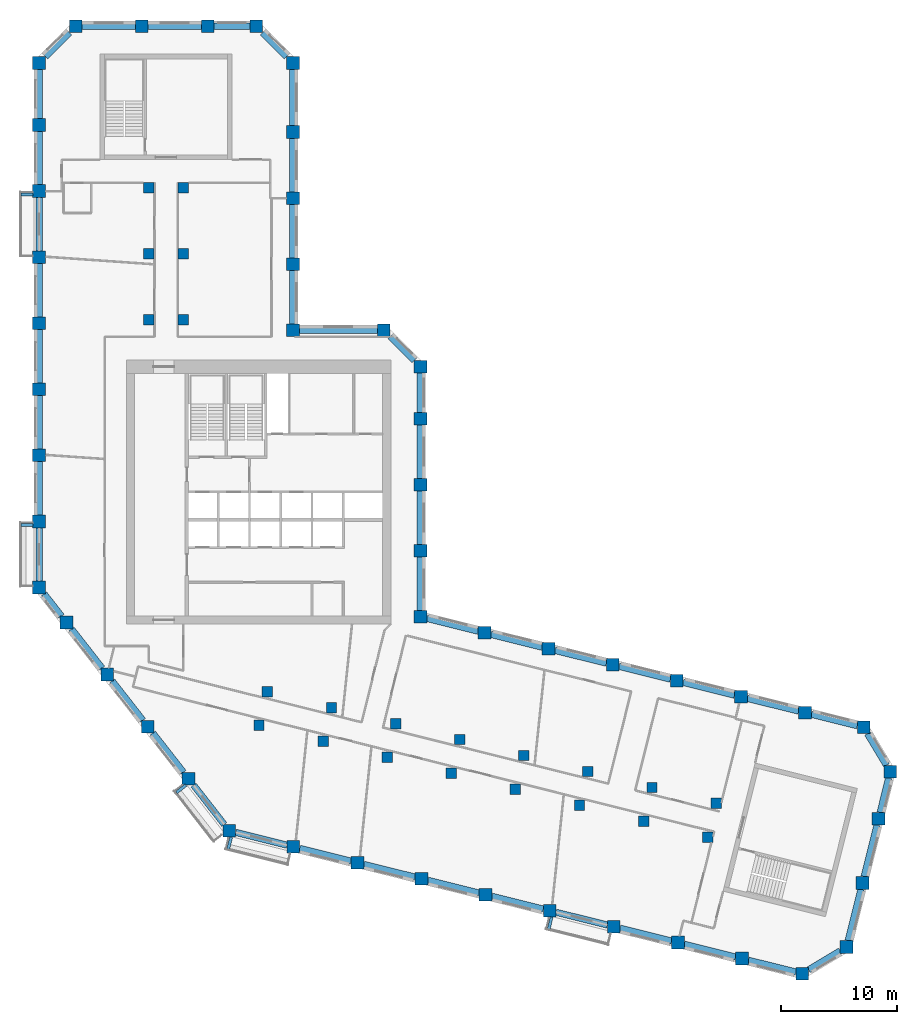
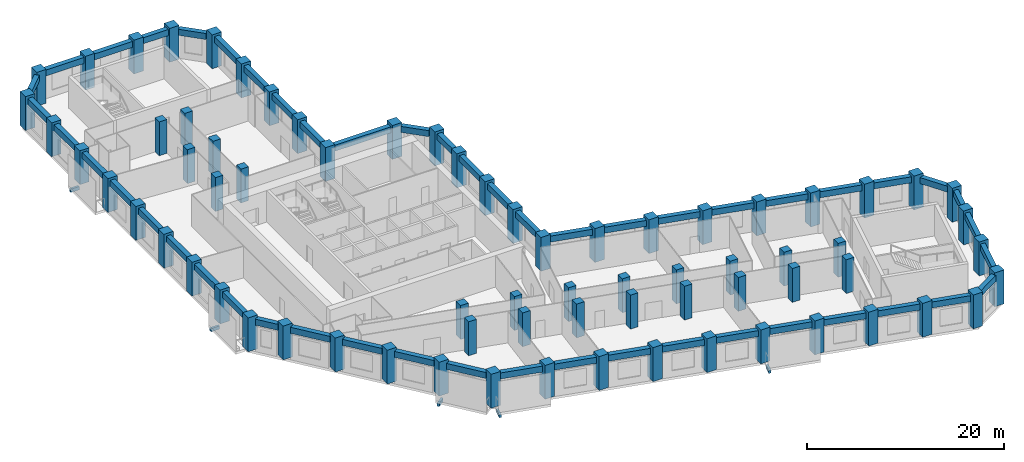
# One storey, part 1 of 10: 71 columns, 54 beams.
"""IFC4 building model written with IfcOpenShell, lengths in metres."""

from ifc_helpers import new_model, si_unit, direction, frame, origin, origin_2d, place, context, subcontext, project, spatial, rectangle, extrude, material, material_profile, profile_set, type_object, element, save


model = new_model("IFC4")

# Units and contexts
model_context = context("Model", 3, precision=1e-05, world=origin(), true_north=direction((0.0, 1.0)))
body_context = subcontext(model_context, "Body", "Model", "MODEL_VIEW")
ifc_project = project(units=[si_unit("LENGTHUNIT", "METRE"), si_unit("AREAUNIT", "SQUARE_METRE"), si_unit("VOLUMEUNIT", "CUBIC_METRE"), si_unit("PLANEANGLEUNIT", "RADIAN"), si_unit("MASSUNIT", "GRAM", prefix="KILO")], contexts=[model_context])

# Site, building, storey
site_placement = place(None, origin())
site = spatial("IfcSite", under=ifc_project, at=site_placement, CompositionType="ELEMENT")
building_placement = place(site_placement, origin())
building = spatial("IfcBuilding", under=site, at=building_placement, Name="Meshkara Civic Tower", CompositionType="ELEMENT")
storey_placement = place(building_placement, frame((0.0, 0.0, 229.800048828125)))
storey = spatial("IfcBuildingStorey", under=building, at=storey_placement, Name="L52", CompositionType="ELEMENT", Elevation=229.800048828125)

# Columns
ifc_material_1 = material(Name="Concrete C60", Category="concrete")
ifc_material_profile_1 = material_profile(ifc_material_1, rectangle(XDim=0.89990234375, YDim=0.89990234375, at=origin_2d()))
ifc_profile_set_1 = profile_set([ifc_material_profile_1], Name="Concrete C60")
column_type_1 = type_object("IfcColumnType", Name="Interior column RC 900x900 C60", PredefinedType="COLUMN", material=ifc_profile_set_1)
for number, where, z_axis, x_axis, name in (
    (1, (9.89990234375, 40.35009765625, 0.0), (0.0, 0.0, 1.0), (1.0, 0.0, 0.0), "Column SA1-04 L52"),
    (2, (9.89990234375, 46.050048828125, 0.0), (0.0, 0.0, 1.0), (1.0, 0.0, 0.0), "Column SA1-05 L52"),
    (3, (9.89990234375, 51.75, 0.0), (0.0, 0.0, 1.0), (1.0, 0.0, 0.0), "Column SA1-06 L52"),
    (4, (12.89990234375, 40.35009765625, 0.0), (0.0, 0.0, 1.0), (1.0, 0.0, 0.0), "Column SA2-04 L52"),
    (5, (12.89990234375, 46.050048828125, 0.0), (0.0, 0.0, 1.0), (1.0, 0.0, 0.0), "Column SA2-05 L52"),
    (6, (12.89990234375, 51.75, 0.0), (0.0, 0.0, 1.0), (1.0, 0.0, 0.0), "Column SA2-06 L52"),
    (7, (19.424072265625, 5.360107421875, 0.0), (0.0, 0.0, 1.0), (1.0, 0.0, 0.0), "Column SB1-00 L52"),
    (8, (24.9541015625, 3.98095703125, 0.0), (0.0, 0.0, 1.0), (1.0, 0.0, 0.0), "Column SB1-01 L52"),
    (9, (30.485107421875, 2.60205078125, 0.0), (0.0, 0.0, 1.0), (1.0, 0.0, 0.0), "Column SB1-02 L52"),
    (10, (36.01611328125, 1.222900390625, 0.0), (0.0, 0.0, 1.0), (1.0, 0.0, 0.0), "Column SB1-03 L52"),
    (11, (41.5458984375, -0.156005859375, 0.0), (0.0, 0.0, 1.0), (1.0, 0.0, 0.0), "Column SB1-04 L52"),
    (12, (47.076904296875, -1.534912109375, 0.0), (0.0, 0.0, 1.0), (1.0, 0.0, 0.0), "Column SB1-05 L52"),
    (13, (52.60791015625, -2.9140625, 0.0), (0.0, 0.0, 1.0), (1.0, 0.0, 0.0), "Column SB1-06 L52"),
    (14, (58.138916015625, -4.2919921875, 0.0), (0.0, 0.0, 1.0), (1.0, 0.0, 0.0), "Column SB1-07 L52"),
    (15, (20.14892578125, 8.27099609375, 0.0), (0.0, 0.0, 1.0), (1.0, 0.0, 0.0), "Column SB2-00 L52"),
    (16, (25.679931640625, 6.89208984375, 0.0), (0.0, 0.0, 1.0), (1.0, 0.0, 0.0), "Column SB2-01 L52"),
    (17, (31.2109375, 5.512939453125, 0.0), (0.0, 0.0, 1.0), (1.0, 0.0, 0.0), "Column SB2-02 L52"),
    (18, (36.741943359375, 4.134033203125, 0.0), (0.0, 0.0, 1.0), (1.0, 0.0, 0.0), "Column SB2-03 L52"),
    (19, (42.27197265625, 2.7548828125, 0.0), (0.0, 0.0, 1.0), (1.0, 0.0, 0.0), "Column SB2-04 L52"),
    (20, (47.802978515625, 1.3759765625, 0.0), (0.0, 0.0, 1.0), (1.0, 0.0, 0.0), "Column SB2-05 L52"),
    (21, (53.333984375, -0.0029296875, 0.0), (0.0, 0.0, 1.0), (1.0, 0.0, 0.0), "Column SB2-06 L52"),
    (22, (58.864013671875, -1.382080078125, 0.0), (0.0, 0.0, 1.0), (1.0, 0.0, 0.0), "Column SB2-07 L52"),
):
    element("IfcColumn", number, at=place(storey_placement, frame(where, z_axis=z_axis, x_axis=x_axis)), inside=storey, type_object=column_type_1, Name=name, PredefinedType="COLUMN", context=body_context, shape_type="SweptSolid", body=[
        extrude(rectangle(XDim=0.89990234375, YDim=0.89990234375, at=origin_2d()), origin(), (0.0, 0.0, 1.0), 4.199951171875),
    ])
ifc_material_2 = material(Name="Concrete C60", Category="concrete")
ifc_material_profile_2 = material_profile(ifc_material_2, rectangle(XDim=1.10009765625, YDim=1.10009765625, at=origin_2d()))
ifc_profile_set_2 = profile_set([ifc_material_profile_2], Name="Concrete C60")
column_type_2 = type_object("IfcColumnType", Name="Perimeter column RC 1100x1100 C60", PredefinedType="COLUMN", material=ifc_profile_set_2)
for number, where, z_axis, x_axis, name in (
    (23, (33.35009765625, 14.718994140625, 0.0), (0.0, 0.0, 1.0), (1.0, 0.0, 0.0), "Column HE00 L52"),
    (24, (33.35009765625, 20.4189453125, 0.0), (0.0, 0.0, 1.0), (1.0, 0.0, 0.0), "Column HE01 L52"),
    (25, (33.35009765625, 26.118896484375, 0.0), (0.0, 0.0, 1.0), (1.0, 0.0, 0.0), "Column HE02 L52"),
    (26, (33.35009765625, 31.819091796875, 0.0), (0.0, 0.0, 1.0), (1.0, 0.0, 0.0), "Column HE03 L52"),
    (27, (33.35009765625, 36.2939453125, 0.0), (0.0, 0.0, 1.0), (1.0, 0.0, 0.0), "Column HEE L52"),
    (28, (30.194091796875, 39.449951171875, 0.0), (0.0, 0.0, 1.0), (1.0, 0.0, 0.0), "Column HCeE L52"),
    (29, (22.35009765625, 39.449951171875, 0.0), (0.0, 0.0, 1.0), (1.0, 0.0, 0.0), "Column HN00 L52"),
    (30, (22.35009765625, 45.14990234375, 0.0), (0.0, 0.0, 1.0), (1.0, 0.0, 0.0), "Column AE01 L52"),
    (31, (22.35009765625, 50.85009765625, 0.0), (0.0, 0.0, 1.0), (1.0, 0.0, 0.0), "Column AE02 L52"),
    (32, (22.35009765625, 56.550048828125, 0.0), (0.0, 0.0, 1.0), (1.0, 0.0, 0.0), "Column AE03 L52"),
    (33, (22.35009765625, 62.513916015625, 0.0), (0.0, 0.0, 1.0), (1.0, 0.0, 0.0), "Column AEEP3 L52"),
    (34, (19.194091796875, 65.669921875, 0.0), (0.0, 0.0, 1.0), (1.0, 0.0, 0.0), "Column ATiEP3 L52"),
    (35, (3.60595703125, 65.669921875, 0.0), (0.0, 0.0, 1.0), (1.0, 0.0, 0.0), "Column AT00-P3 L52"),
    (36, (9.305908203125, 65.669921875, 0.0), (0.0, 0.0, 1.0), (1.0, 0.0, 0.0), "Column AT01-P3 L52"),
    (37, (15.006103515625, 65.669921875, 0.0), (0.0, 0.0, 1.0), (1.0, 0.0, 0.0), "Column AT02-P3 L52"),
    (38, (0.449951171875, 62.513916015625, 0.0), (0.0, 0.0, 1.0), (1.0, 0.0, 0.0), "Column ATo00-P3 L52"),
    (39, (0.449951171875, 17.2548828125, 0.0), (0.0, 0.0, 1.0), (1.0, 0.0, 0.0), "Column AW00 L52"),
    (40, (0.449951171875, 22.955078125, 0.0), (0.0, 0.0, 1.0), (1.0, 0.0, 0.0), "Column AW01 L52"),
    (41, (0.449951171875, 28.655029296875, 0.0), (0.0, 0.0, 1.0), (1.0, 0.0, 0.0), "Column AW02 L52"),
    (42, (0.449951171875, 34.35498046875, 0.0), (0.0, 0.0, 1.0), (1.0, 0.0, 0.0), "Column AW03 L52"),
    (43, (0.449951171875, 40.054931640625, 0.0), (0.0, 0.0, 1.0), (1.0, 0.0, 0.0), "Column AW04 L52"),
    (44, (0.449951171875, 45.7548828125, 0.0), (0.0, 0.0, 1.0), (1.0, 0.0, 0.0), "Column AW05 L52"),
    (45, (0.449951171875, 51.455078125, 0.0), (0.0, 0.0, 1.0), (1.0, 0.0, 0.0), "Column AW06 L52"),
    (46, (0.449951171875, 57.155029296875, 0.0), (0.0, 0.0, 1.0), (1.0, 0.0, 0.0), "Column AW07 L52"),
    (47, (16.85107421875, -3.738037109375, 0.0), (0.0, 0.0, 1.0), (1.0, 0.0, 0.0), "Column BOW00 L52"),
    (48, (13.342041015625, 0.75390625, 0.0), (0.0, 0.0, 1.0), (1.0, 0.0, 0.0), "Column BOW01 L52"),
    (49, (9.8330078125, 5.2451171875, 0.0), (0.0, 0.0, 1.0), (1.0, 0.0, 0.0), "Column BOW02 L52"),
    (50, (6.322998046875, 9.737060546875, 0.0), (0.0, 0.0, 1.0), (1.0, 0.0, 0.0), "Column BOW03 L52"),
    (51, (2.81396484375, 14.22900390625, 0.0), (0.0, 0.0, 1.0), (1.0, 0.0, 0.0), "Column BOW04 L52"),
    (52, (22.382080078125, -5.116943359375, 0.0), (0.0, 0.0, 1.0), (1.0, 0.0, 0.0), "Column BS01 L52"),
    (53, (27.912109375, -6.49609375, 0.0), (0.0, 0.0, 1.0), (1.0, 0.0, 0.0), "Column BS02 L52"),
    (54, (33.443115234375, -7.875, 0.0), (0.0, 0.0, 1.0), (1.0, 0.0, 0.0), "Column BS03 L52"),
    (55, (38.97412109375, -9.2529296875, 0.0), (0.0, 0.0, 1.0), (1.0, 0.0, 0.0), "Column BS04-P1 L52"),
    (56, (44.5048828125, -10.632080078125, 0.0), (0.0, 0.0, 1.0), (1.0, 0.0, 0.0), "Column BS05 L52"),
    (57, (50.034912109375, -12.010986328125, 0.0), (0.0, 0.0, 1.0), (1.0, 0.0, 0.0), "Column BS06 L52"),
    (58, (55.56591796875, -13.389892578125, 0.0), (0.0, 0.0, 1.0), (1.0, 0.0, 0.0), "Column BS07 L52"),
    (59, (61.096923828125, -14.76904296875, 0.0), (0.0, 0.0, 1.0), (1.0, 0.0, 0.0), "Column BS08 L52"),
    (60, (66.2958984375, -16.06494140625, 0.0), (0.0, 0.0, 1.0), (1.0, 0.0, 0.0), "Column BSEP3 L52"),
    (61, (70.1220703125, -13.76611328125, 0.0), (0.0, 0.0, 1.0), (1.0, 0.0, 0.0), "Column BToEP3 L52"),
    (62, (71.5009765625, -8.235107421875, 0.0), (0.0, 0.0, 1.0), (1.0, 0.0, 0.0), "Column BT01-P3 L52"),
    (63, (72.8798828125, -2.705078125, 0.0), (0.0, 0.0, 1.0), (1.0, 0.0, 0.0), "Column BT02-P3 L52"),
    (64, (73.89306640625, 1.35791015625, 0.0), (0.0, 0.0, 1.0), (1.0, 0.0, 0.0), "Column BTEP3 L52"),
    (65, (71.593994140625, 5.18310546875, 0.0), (0.0, 0.0, 1.0), (1.0, 0.0, 0.0), "Column BTi00-P3 L52"),
    (66, (38.881103515625, 13.340087890625, 0.0), (0.0, 0.0, 1.0), (1.0, 0.0, 0.0), "Column BN01 L52"),
    (67, (44.410888671875, 11.9609375, 0.0), (0.0, 0.0, 1.0), (1.0, 0.0, 0.0), "Column BN02 L52"),
    (68, (49.94189453125, 10.58203125, 0.0), (0.0, 0.0, 1.0), (1.0, 0.0, 0.0), "Column BN03 L52"),
    (69, (55.472900390625, 9.202880859375, 0.0), (0.0, 0.0, 1.0), (1.0, 0.0, 0.0), "Column BN04 L52"),
    (70, (61.0029296875, 7.823974609375, 0.0), (0.0, 0.0, 1.0), (1.0, 0.0, 0.0), "Column BN05 L52"),
    (71, (66.533935546875, 6.445068359375, 0.0), (0.0, 0.0, 1.0), (1.0, 0.0, 0.0), "Column BN06 L52"),
):
    element("IfcColumn", number, at=place(storey_placement, frame(where, z_axis=z_axis, x_axis=x_axis)), inside=storey, type_object=column_type_2, Name=name, PredefinedType="COLUMN", context=body_context, shape_type="SweptSolid", body=[
        extrude(rectangle(XDim=1.10009765625, YDim=1.10009765625, at=origin_2d()), origin(), (0.0, 0.0, 1.0), 4.199951171875),
    ])

# Beams
ifc_material_3 = material(Name="Concrete C50", Category="concrete")
ifc_material_profile_3 = material_profile(ifc_material_3, rectangle(XDim=0.25, YDim=0.39990234375, at=origin_2d()))
ifc_profile_set_3 = profile_set([ifc_material_profile_3], Name="Concrete C50")
beam_type_1 = type_object("IfcBeamType", Name="Balcony bracket beam RC 250x400 C50", PredefinedType="BEAM", material=ifc_profile_set_3)
for number, where, z_axis, x_axis, name in (
    (72, (-0.094970703125, 51.155029296875, -0.5), (-1.0, 0.0, 0.0), (0.0, -1.0, 0.0), "Balcony bracket beam"),
    (73, (-0.094970703125, 22.655029296875, -0.5), (-1.0, 0.0, 0.0), (0.0, -1.0, 0.0), "Balcony bracket beam"),
):
    element("IfcBeam", number, at=place(storey_placement, frame(where, z_axis=z_axis, x_axis=x_axis)), inside=storey, type_object=beam_type_1, Name=name, PredefinedType="BEAM", context=body_context, shape_type="SweptSolid", body=[
        extrude(rectangle(XDim=0.25, YDim=0.39990234375, at=origin_2d()), origin(), (0.0, 0.0, 1.0), 1.005126953125),
    ])
beam_1_placement = place(storey_placement, frame((13.12890625, 0.20703125, -0.5), z_axis=(-0.787879244592, -0.615829762143, 0.0), x_axis=(0.615829762143, -0.787879244592, 0.0)))
element("IfcBeam", 74, at=beam_1_placement, inside=storey, type_object=beam_type_1, Name="Balcony bracket beam", PredefinedType="BEAM", context=body_context, shape_type="SweptSolid", body=[
    extrude(rectangle(XDim=0.25, YDim=0.39990234375, at=origin_2d()), origin(), (0.0, 0.0, 1.0), 1.0458984375),
])
beam_2_placement = place(storey_placement, frame((17.02392578125, -4.282958984375, -0.5), z_axis=(-0.241724565462, -0.970344904893, 0.0), x_axis=(0.970344904893, -0.241724565462, 0.0)))
element("IfcBeam", 75, at=beam_2_placement, inside=storey, type_object=beam_type_1, Name="Balcony bracket beam", PredefinedType="BEAM", context=body_context, shape_type="SweptSolid", body=[
    extrude(rectangle(XDim=0.25, YDim=0.39990234375, at=origin_2d()), origin(), (0.0, 0.0, 1.0), 1.0625),
])
beam_3_placement = place(storey_placement, frame((44.677978515625, -11.177001953125, -0.5), z_axis=(-0.241725333206, -0.970344713639, 0.0), x_axis=(0.970344713639, -0.241725333206, 0.0)))
element("IfcBeam", 76, at=beam_3_placement, inside=storey, type_object=beam_type_1, Name="Balcony bracket beam", PredefinedType="BEAM", context=body_context, shape_type="SweptSolid", body=[
    extrude(rectangle(XDim=0.25, YDim=0.39990234375, at=origin_2d()), origin(), (0.0, 0.0, 1.0), 1.0634765625),
])
ifc_material_4 = material(Name="Concrete C60", Category="concrete")
ifc_material_profile_4 = material_profile(ifc_material_4, rectangle(XDim=0.550048828125, YDim=0.75, at=origin_2d()))
ifc_profile_set_4 = profile_set([ifc_material_profile_4], Name="Concrete C60")
beam_type_2 = type_object("IfcBeamType", Name="Spandrel beam RC 550x750 C60", PredefinedType="BEAM", material=ifc_profile_set_4)
beam_4_placement = place(storey_placement, frame((65.989013671875, 6.580810546875, 3.52490234375), z_axis=(-0.970299186733, 0.241908016044, 0.0), x_axis=(-0.241908016044, -0.970299186733, 0.0)))
element("IfcBeam", 77, at=beam_4_placement, inside=storey, type_object=beam_type_2, Name="Spandrel beam BN05-BN06", PredefinedType="BEAM", context=body_context, shape_type="SweptSolid", body=[
    extrude(rectangle(XDim=0.550048828125, YDim=0.75, at=origin_2d()), origin(), (0.0, 0.0, 1.0), 4.576904296875),
])
beam_5_placement = place(storey_placement, frame((60.4580078125, 7.9599609375, 3.52490234375), z_axis=(-0.970286696562, 0.241958108925, 0.0), x_axis=(-0.241958108925, -0.970286696562, 0.0)))
element("IfcBeam", 78, at=beam_5_placement, inside=storey, type_object=beam_type_2, Name="Spandrel beam BN04-BN05", PredefinedType="BEAM", context=body_context, shape_type="SweptSolid", body=[
    extrude(rectangle(XDim=0.550048828125, YDim=0.75, at=origin_2d()), origin(), (0.0, 0.0, 1.0), 4.575927734375),
])
for number, where, z_axis, x_axis, name in (
    (79, (54.927978515625, 9.3388671875, 3.52490234375), (-0.970299186733, 0.241908016044, 0.0), (-0.241908016044, -0.970299186733, 0.0), "Spandrel beam BN03-BN04"),
    (80, (49.39697265625, 10.718017578125, 3.52490234375), (-0.970299186733, 0.241908016044, 0.0), (-0.241908016044, -0.970299186733, 0.0), "Spandrel beam BN02-BN03"),
):
    element("IfcBeam", number, at=place(storey_placement, frame(where, z_axis=z_axis, x_axis=x_axis)), inside=storey, type_object=beam_type_2, Name=name, PredefinedType="BEAM", context=body_context, shape_type="SweptSolid", body=[
        extrude(rectangle(XDim=0.550048828125, YDim=0.75, at=origin_2d()), origin(), (0.0, 0.0, 1.0), 4.576904296875),
    ])
beam_6_placement = place(storey_placement, frame((43.865966796875, 12.096923828125, 3.52490234375), z_axis=(-0.970286696562, 0.241958108925, 0.0), x_axis=(-0.241958108925, -0.970286696562, 0.0)))
element("IfcBeam", 81, at=beam_6_placement, inside=storey, type_object=beam_type_2, Name="Spandrel beam BN01-BN02", PredefinedType="BEAM", context=body_context, shape_type="SweptSolid", body=[
    extrude(rectangle(XDim=0.550048828125, YDim=0.75, at=origin_2d()), origin(), (0.0, 0.0, 1.0), 4.575927734375),
])
beam_7_placement = place(storey_placement, frame((38.3359375, 13.475830078125, 3.52490234375), z_axis=(-0.970299186733, 0.241908016044, 0.0), x_axis=(-0.241908016044, -0.970299186733, 0.0)))
element("IfcBeam", 82, at=beam_7_placement, inside=storey, type_object=beam_type_2, Name="Spandrel beam BN01-HE00", PredefinedType="BEAM", context=body_context, shape_type="SweptSolid", body=[
    extrude(rectangle(XDim=0.550048828125, YDim=0.75, at=origin_2d()), origin(), (0.0, 0.0, 1.0), 4.576904296875),
])
beam_8_placement = place(storey_placement, frame((33.35009765625, 15.263916015625, 3.52490234375), z_axis=(0.0, 1.0, 0.0), x_axis=(-1.0, 0.0, 0.0)))
element("IfcBeam", 83, at=beam_8_placement, inside=storey, type_object=beam_type_2, Name="Spandrel beam HE00-HE01", PredefinedType="BEAM", context=body_context, shape_type="SweptSolid", body=[
    extrude(rectangle(XDim=0.550048828125, YDim=0.75, at=origin_2d()), origin(), (0.0, 0.0, 1.0), 4.610107421875),
])
for number, where, z_axis, x_axis, name in (
    (84, (33.35009765625, 20.964111328125, 3.52490234375), (0.0, 1.0, 0.0), (-1.0, 0.0, 0.0), "Spandrel beam HE01-HE02"),
    (85, (33.35009765625, 26.6640625, 3.52490234375), (0.0, 1.0, 0.0), (-1.0, 0.0, 0.0), "Spandrel beam HE02-HE03"),
):
    element("IfcBeam", number, at=place(storey_placement, frame(where, z_axis=z_axis, x_axis=x_axis)), inside=storey, type_object=beam_type_2, Name=name, PredefinedType="BEAM", context=body_context, shape_type="SweptSolid", body=[
        extrude(rectangle(XDim=0.550048828125, YDim=0.75, at=origin_2d()), origin(), (0.0, 0.0, 1.0), 4.60986328125),
    ])
beam_9_placement = place(storey_placement, frame((33.35009765625, 32.364013671875, 3.52490234375), z_axis=(0.0, 1.0, 0.0), x_axis=(-1.0, 0.0, 0.0)))
element("IfcBeam", 86, at=beam_9_placement, inside=storey, type_object=beam_type_2, Name="Spandrel beam HE03-HEE", PredefinedType="BEAM", context=body_context, shape_type="SweptSolid", body=[
    extrude(rectangle(XDim=0.550048828125, YDim=0.75, at=origin_2d()), origin(), (0.0, 0.0, 1.0), 3.385009765625),
])
beam_10_placement = place(storey_placement, frame((32.803466796875, 36.840576171875, 3.52490234375), z_axis=(-0.707106781187, 0.707106781187, 0.0), x_axis=(-0.707106781187, -0.707106781187, 0.0)))
element("IfcBeam", 87, at=beam_10_placement, inside=storey, type_object=beam_type_2, Name="Spandrel beam HCeE-HEE", PredefinedType="BEAM", context=body_context, shape_type="SweptSolid", body=[
    extrude(rectangle(XDim=0.550048828125, YDim=0.75, at=origin_2d()), origin(), (0.0, 0.0, 1.0), 2.91748046875),
])
beam_11_placement = place(storey_placement, frame((29.64892578125, 39.449951171875, 3.52490234375), z_axis=(-1.0, 0.0, 0.0), x_axis=(0.0, -1.0, 0.0)))
element("IfcBeam", 88, at=beam_11_placement, inside=storey, type_object=beam_type_2, Name="Spandrel beam HCeE-HN00", PredefinedType="BEAM", context=body_context, shape_type="SweptSolid", body=[
    extrude(rectangle(XDim=0.550048828125, YDim=0.75, at=origin_2d()), origin(), (0.0, 0.0, 1.0), 6.75390625),
])
for number, where, z_axis, x_axis, name in (
    (89, (22.35009765625, 39.9951171875, 3.52490234375), (0.0, 1.0, 0.0), (-1.0, 0.0, 0.0), "Spandrel beam AE01-HN00"),
    (90, (22.35009765625, 45.695068359375, 3.52490234375), (0.0, 1.0, 0.0), (-1.0, 0.0, 0.0), "Spandrel beam AE01-AE02"),
    (91, (22.35009765625, 51.39501953125, 3.52490234375), (0.0, 1.0, 0.0), (-1.0, 0.0, 0.0), "Spandrel beam AE02-AE03"),
):
    element("IfcBeam", number, at=place(storey_placement, frame(where, z_axis=z_axis, x_axis=x_axis)), inside=storey, type_object=beam_type_2, Name=name, PredefinedType="BEAM", context=body_context, shape_type="SweptSolid", body=[
        extrude(rectangle(XDim=0.550048828125, YDim=0.75, at=origin_2d()), origin(), (0.0, 0.0, 1.0), 4.60986328125),
    ])
beam_12_placement = place(storey_placement, frame((22.35009765625, 57.094970703125, 3.52490234375), z_axis=(0.0, 1.0, 0.0), x_axis=(-1.0, 0.0, 0.0)))
element("IfcBeam", 92, at=beam_12_placement, inside=storey, type_object=beam_type_2, Name="Spandrel beam AE03-AEEP3", PredefinedType="BEAM", context=body_context, shape_type="SweptSolid", body=[
    extrude(rectangle(XDim=0.550048828125, YDim=0.75, at=origin_2d()), origin(), (0.0, 0.0, 1.0), 4.8740234375),
])
beam_13_placement = place(storey_placement, frame((21.803466796875, 63.060546875, 3.52490234375), z_axis=(-0.707106781187, 0.707106781187, 0.0), x_axis=(-0.707106781187, -0.707106781187, 0.0)))
element("IfcBeam", 93, at=beam_13_placement, inside=storey, type_object=beam_type_2, Name="Spandrel beam AEEP3-ATiEP3", PredefinedType="BEAM", context=body_context, shape_type="SweptSolid", body=[
    extrude(rectangle(XDim=0.550048828125, YDim=0.75, at=origin_2d()), origin(), (0.0, 0.0, 1.0), 2.91748046875),
])
beam_14_placement = place(storey_placement, frame((18.64892578125, 65.669921875, 3.52490234375), z_axis=(-1.0, 0.0, 0.0), x_axis=(0.0, -1.0, 0.0)))
element("IfcBeam", 94, at=beam_14_placement, inside=storey, type_object=beam_type_2, Name="Spandrel beam AT02-P3-ATiEP3", PredefinedType="BEAM", context=body_context, shape_type="SweptSolid", body=[
    extrude(rectangle(XDim=0.550048828125, YDim=0.75, at=origin_2d()), origin(), (0.0, 0.0, 1.0), 3.097900390625),
])
beam_15_placement = place(storey_placement, frame((14.4609375, 65.669921875, 3.52490234375), z_axis=(-1.0, 0.0, 0.0), x_axis=(0.0, -1.0, 0.0)))
element("IfcBeam", 95, at=beam_15_placement, inside=storey, type_object=beam_type_2, Name="Spandrel beam AT01-P3-AT02-P3", PredefinedType="BEAM", context=body_context, shape_type="SweptSolid", body=[
    extrude(rectangle(XDim=0.550048828125, YDim=0.75, at=origin_2d()), origin(), (0.0, 0.0, 1.0), 4.60986328125),
])
beam_16_placement = place(storey_placement, frame((8.760986328125, 65.669921875, 3.52490234375), z_axis=(-1.0, 0.0, 0.0), x_axis=(0.0, -1.0, 0.0)))
element("IfcBeam", 96, at=beam_16_placement, inside=storey, type_object=beam_type_2, Name="Spandrel beam AT00-P3-AT01-P3", PredefinedType="BEAM", context=body_context, shape_type="SweptSolid", body=[
    extrude(rectangle(XDim=0.550048828125, YDim=0.75, at=origin_2d()), origin(), (0.0, 0.0, 1.0), 4.610107421875),
])
beam_17_placement = place(storey_placement, frame((3.0595703125, 65.12353515625, 3.52490234375), z_axis=(-0.707106781187, -0.707106781187, 0.0), x_axis=(0.707106781187, -0.707106781187, 0.0)))
element("IfcBeam", 97, at=beam_17_placement, inside=storey, type_object=beam_type_2, Name="Spandrel beam AT00-P3-ATo00-P3", PredefinedType="BEAM", context=body_context, shape_type="SweptSolid", body=[
    extrude(rectangle(XDim=0.550048828125, YDim=0.75, at=origin_2d()), origin(), (0.0, 0.0, 1.0), 2.91748046875),
])
beam_18_placement = place(storey_placement, frame((0.449951171875, 61.968994140625, 3.52490234375), z_axis=(0.0, -1.0, 0.0), x_axis=(1.0, 0.0, 0.0)))
element("IfcBeam", 98, at=beam_18_placement, inside=storey, type_object=beam_type_2, Name="Spandrel beam ATo00-P3-AW07", PredefinedType="BEAM", context=body_context, shape_type="SweptSolid", body=[
    extrude(rectangle(XDim=0.550048828125, YDim=0.75, at=origin_2d()), origin(), (0.0, 0.0, 1.0), 4.26904296875),
])
beam_19_placement = place(storey_placement, frame((0.449951171875, 56.610107421875, 3.52490234375), z_axis=(0.0, -1.0, 0.0), x_axis=(1.0, 0.0, 0.0)))
element("IfcBeam", 99, at=beam_19_placement, inside=storey, type_object=beam_type_2, Name="Spandrel beam AW06-AW07", PredefinedType="BEAM", context=body_context, shape_type="SweptSolid", body=[
    extrude(rectangle(XDim=0.550048828125, YDim=0.75, at=origin_2d()), origin(), (0.0, 0.0, 1.0), 4.610107421875),
])
for number, where, z_axis, x_axis, name in (
    (100, (0.449951171875, 50.909912109375, 3.52490234375), (0.0, -1.0, 0.0), (1.0, 0.0, 0.0), "Spandrel beam AW05-AW06"),
    (101, (0.449951171875, 45.2099609375, 3.52490234375), (0.0, -1.0, 0.0), (1.0, 0.0, 0.0), "Spandrel beam AW04-AW05"),
):
    element("IfcBeam", number, at=place(storey_placement, frame(where, z_axis=z_axis, x_axis=x_axis)), inside=storey, type_object=beam_type_2, Name=name, PredefinedType="BEAM", context=body_context, shape_type="SweptSolid", body=[
        extrude(rectangle(XDim=0.550048828125, YDim=0.75, at=origin_2d()), origin(), (0.0, 0.0, 1.0), 4.60986328125),
    ])
for number, where, z_axis, x_axis, name in (
    (102, (0.449951171875, 39.510009765625, 3.52490234375), (0.0, -1.0, 0.0), (1.0, 0.0, 0.0), "Spandrel beam AW03-AW04"),
    (103, (0.449951171875, 33.81005859375, 3.52490234375), (0.0, -1.0, 0.0), (1.0, 0.0, 0.0), "Spandrel beam AW02-AW03"),
    (104, (0.449951171875, 28.110107421875, 3.52490234375), (0.0, -1.0, 0.0), (1.0, 0.0, 0.0), "Spandrel beam AW01-AW02"),
):
    element("IfcBeam", number, at=place(storey_placement, frame(where, z_axis=z_axis, x_axis=x_axis)), inside=storey, type_object=beam_type_2, Name=name, PredefinedType="BEAM", context=body_context, shape_type="SweptSolid", body=[
        extrude(rectangle(XDim=0.550048828125, YDim=0.75, at=origin_2d()), origin(), (0.0, 0.0, 1.0), 4.610107421875),
    ])
beam_20_placement = place(storey_placement, frame((0.449951171875, 22.409912109375, 3.52490234375), z_axis=(0.0, -1.0, 0.0), x_axis=(1.0, 0.0, 0.0)))
element("IfcBeam", 105, at=beam_20_placement, inside=storey, type_object=beam_type_2, Name="Spandrel beam AW00-AW01", PredefinedType="BEAM", context=body_context, shape_type="SweptSolid", body=[
    extrude(rectangle(XDim=0.550048828125, YDim=0.75, at=origin_2d()), origin(), (0.0, 0.0, 1.0), 4.60986328125),
])
beam_21_placement = place(storey_placement, frame((0.876708984375, 16.708984375, 3.52490234375), z_axis=(0.615626666257, -0.788037948194, 0.0), x_axis=(0.788037948194, 0.615626666257, 0.0)))
element("IfcBeam", 106, at=beam_21_placement, inside=storey, type_object=beam_type_2, Name="Spandrel beam AW00-BOW04", PredefinedType="BEAM", context=body_context, shape_type="SweptSolid", body=[
    extrude(rectangle(XDim=0.550048828125, YDim=0.75, at=origin_2d()), origin(), (0.0, 0.0, 1.0), 2.4541015625),
])
beam_22_placement = place(storey_placement, frame((3.240478515625, 13.682861328125, 3.52490234375), z_axis=(0.615647336498, -0.788021799865, 0.0), x_axis=(0.788021799865, 0.615647336498, 0.0)))
element("IfcBeam", 107, at=beam_22_placement, inside=storey, type_object=beam_type_2, Name="Spandrel beam BOW03-BOW04", PredefinedType="BEAM", context=body_context, shape_type="SweptSolid", body=[
    extrude(rectangle(XDim=0.550048828125, YDim=0.75, at=origin_2d()), origin(), (0.0, 0.0, 1.0), 4.314208984375),
])
beam_23_placement = place(storey_placement, frame((6.749755859375, 9.19091796875, 3.52490234375), z_axis=(0.615690159083, -0.787988342559, 0.0), x_axis=(0.787988342559, 0.615690159083, 0.0)))
element("IfcBeam", 108, at=beam_23_placement, inside=storey, type_object=beam_type_2, Name="Spandrel beam BOW02-BOW03", PredefinedType="BEAM", context=body_context, shape_type="SweptSolid", body=[
    extrude(rectangle(XDim=0.550048828125, YDim=0.75, at=origin_2d()), origin(), (0.0, 0.0, 1.0), 4.314697265625),
])
beam_24_placement = place(storey_placement, frame((10.259765625, 4.698974609375, 3.52490234375), z_axis=(0.615659419462, -0.788012359819, 0.0), x_axis=(0.788012359819, 0.615659419462, 0.0)))
element("IfcBeam", 109, at=beam_24_placement, inside=storey, type_object=beam_type_2, Name="Spandrel beam BOW01-BOW02", PredefinedType="BEAM", context=body_context, shape_type="SweptSolid", body=[
    extrude(rectangle(XDim=0.550048828125, YDim=0.75, at=origin_2d()), origin(), (0.0, 0.0, 1.0), 4.313232421875),
])
beam_25_placement = place(storey_placement, frame((13.7685546875, 0.2080078125, 3.52490234375), z_axis=(0.615584739249, -0.788070700384, 0.0), x_axis=(0.788070700384, 0.615584739249, 0.0)))
element("IfcBeam", 110, at=beam_25_placement, inside=storey, type_object=beam_type_2, Name="Spandrel beam BOW00-BOW01", PredefinedType="BEAM", context=body_context, shape_type="SweptSolid", body=[
    extrude(rectangle(XDim=0.550048828125, YDim=0.75, at=origin_2d()), origin(), (0.0, 0.0, 1.0), 4.314208984375),
])
beam_26_placement = place(storey_placement, frame((17.39599609375, -3.873779296875, 3.52490234375), z_axis=(0.970286664886, -0.24195823595, 0.0), x_axis=(0.24195823595, 0.970286664886, 0.0)))
element("IfcBeam", 111, at=beam_26_placement, inside=storey, type_object=beam_type_2, Name="Spandrel beam BOW00-BS01", PredefinedType="BEAM", context=body_context, shape_type="SweptSolid", body=[
    extrude(rectangle(XDim=0.550048828125, YDim=0.75, at=origin_2d()), origin(), (0.0, 0.0, 1.0), 4.576904296875),
])
beam_27_placement = place(storey_placement, frame((22.927001953125, -5.2529296875, 3.52490234375), z_axis=(0.970286696562, -0.241958108925, 0.0), x_axis=(0.241958108925, 0.970286696562, 0.0)))
element("IfcBeam", 112, at=beam_27_placement, inside=storey, type_object=beam_type_2, Name="Spandrel beam BS01-BS02", PredefinedType="BEAM", context=body_context, shape_type="SweptSolid", body=[
    extrude(rectangle(XDim=0.550048828125, YDim=0.75, at=origin_2d()), origin(), (0.0, 0.0, 1.0), 4.575927734375),
])
beam_28_placement = place(storey_placement, frame((28.45703125, -6.6318359375, 3.52490234375), z_axis=(0.970299186733, -0.241908016044, 0.0), x_axis=(0.241908016044, 0.970299186733, 0.0)))
element("IfcBeam", 113, at=beam_28_placement, inside=storey, type_object=beam_type_2, Name="Spandrel beam BS02-BS03", PredefinedType="BEAM", context=body_context, shape_type="SweptSolid", body=[
    extrude(rectangle(XDim=0.550048828125, YDim=0.75, at=origin_2d()), origin(), (0.0, 0.0, 1.0), 4.576904296875),
])
beam_29_placement = place(storey_placement, frame((33.988037109375, -8.0107421875, 3.52490234375), z_axis=(0.970336738613, -0.241757344662, 0.0), x_axis=(0.241757344662, 0.970336738613, 0.0)))
element("IfcBeam", 114, at=beam_29_placement, inside=storey, type_object=beam_type_2, Name="Spandrel beam BS03-BS04-P1", PredefinedType="BEAM", context=body_context, shape_type="SweptSolid", body=[
    extrude(rectangle(XDim=0.550048828125, YDim=0.75, at=origin_2d()), origin(), (0.0, 0.0, 1.0), 4.57666015625),
])
beam_30_placement = place(storey_placement, frame((39.51904296875, -9.388916015625, 3.52490234375), z_axis=(0.970299186733, -0.241908016044, 0.0), x_axis=(0.241908016044, 0.970299186733, 0.0)))
element("IfcBeam", 115, at=beam_30_placement, inside=storey, type_object=beam_type_2, Name="Spandrel beam BS04-P1-BS05", PredefinedType="BEAM", context=body_context, shape_type="SweptSolid", body=[
    extrude(rectangle(XDim=0.550048828125, YDim=0.75, at=origin_2d()), origin(), (0.0, 0.0, 1.0), 4.576904296875),
])
beam_31_placement = place(storey_placement, frame((45.050048828125, -10.767822265625, 3.52490234375), z_axis=(0.970286696562, -0.241958108925, 0.0), x_axis=(0.241958108925, 0.970286696562, 0.0)))
element("IfcBeam", 116, at=beam_31_placement, inside=storey, type_object=beam_type_2, Name="Spandrel beam BS05-BS06", PredefinedType="BEAM", context=body_context, shape_type="SweptSolid", body=[
    extrude(rectangle(XDim=0.550048828125, YDim=0.75, at=origin_2d()), origin(), (0.0, 0.0, 1.0), 4.575927734375),
])
for number, where, z_axis, x_axis, name in (
    (117, (50.580078125, -12.14697265625, 3.52490234375), (0.970299186733, -0.241908016044, 0.0), (0.241908016044, 0.970299186733, 0.0), "Spandrel beam BS06-BS07"),
    (118, (56.111083984375, -13.52587890625, 3.52490234375), (0.970299186733, -0.241908016044, 0.0), (0.241908016044, 0.970299186733, 0.0), "Spandrel beam BS07-BS08"),
):
    element("IfcBeam", number, at=place(storey_placement, frame(where, z_axis=z_axis, x_axis=x_axis)), inside=storey, type_object=beam_type_2, Name=name, PredefinedType="BEAM", context=body_context, shape_type="SweptSolid", body=[
        extrude(rectangle(XDim=0.550048828125, YDim=0.75, at=origin_2d()), origin(), (0.0, 0.0, 1.0), 4.576904296875),
    ])
beam_32_placement = place(storey_placement, frame((61.64208984375, -14.90478515625, 3.52490234375), z_axis=(0.970298301424, -0.24191156701, 0.0), x_axis=(0.24191156701, 0.970298301424, 0.0)))
element("IfcBeam", 119, at=beam_32_placement, inside=storey, type_object=beam_type_2, Name="Spandrel beam BS08-BSEP3", PredefinedType="BEAM", context=body_context, shape_type="SweptSolid", body=[
    extrude(rectangle(XDim=0.550048828125, YDim=0.75, at=origin_2d()), origin(), (0.0, 0.0, 1.0), 4.234619140625),
])
beam_33_placement = place(storey_placement, frame((66.841796875, -15.737060546875, 3.52490234375), z_axis=(0.857175401914, 0.51502459199, 0.0), x_axis=(-0.51502459199, 0.857175401914, 0.0)))
element("IfcBeam", 120, at=beam_33_placement, inside=storey, type_object=beam_type_2, Name="Spandrel beam BSEP3-BToEP3", PredefinedType="BEAM", context=body_context, shape_type="SweptSolid", body=[
    extrude(rectangle(XDim=0.550048828125, YDim=0.75, at=origin_2d()), origin(), (0.0, 0.0, 1.0), 3.190185546875),
])
beam_34_placement = place(storey_placement, frame((70.2578125, -13.220947265625, 3.52490234375), z_axis=(0.241908016044, 0.970299186733, 0.0), x_axis=(-0.970299186733, 0.241908016044, 0.0)))
element("IfcBeam", 121, at=beam_34_placement, inside=storey, type_object=beam_type_2, Name="Spandrel beam BT01-P3-BToEP3", PredefinedType="BEAM", context=body_context, shape_type="SweptSolid", body=[
    extrude(rectangle(XDim=0.550048828125, YDim=0.75, at=origin_2d()), origin(), (0.0, 0.0, 1.0), 4.576904296875),
])
beam_35_placement = place(storey_placement, frame((71.636962890625, -7.68994140625, 3.52490234375), z_axis=(0.241958108925, 0.970286696562, 0.0), x_axis=(-0.970286696562, 0.241958108925, 0.0)))
element("IfcBeam", 122, at=beam_35_placement, inside=storey, type_object=beam_type_2, Name="Spandrel beam BT01-P3-BT02-P3", PredefinedType="BEAM", context=body_context, shape_type="SweptSolid", body=[
    extrude(rectangle(XDim=0.550048828125, YDim=0.75, at=origin_2d()), origin(), (0.0, 0.0, 1.0), 4.575927734375),
])
beam_36_placement = place(storey_placement, frame((73.015869140625, -2.159912109375, 3.52490234375), z_axis=(0.24191686251, 0.970296981152, 0.0), x_axis=(-0.970296981152, 0.24191686251, 0.0)))
element("IfcBeam", 123, at=beam_36_placement, inside=storey, type_object=beam_type_2, Name="Spandrel beam BT02-P3-BTEP3", PredefinedType="BEAM", context=body_context, shape_type="SweptSolid", body=[
    extrude(rectangle(XDim=0.550048828125, YDim=0.75, at=origin_2d()), origin(), (0.0, 0.0, 1.0), 3.06396484375),
])
beam_37_placement = place(storey_placement, frame((73.56494140625, 1.90380859375, 3.52490234375), z_axis=(-0.515137320802, 0.857107659934, 0.0), x_axis=(-0.857107659934, -0.515137320802, 0.0)))
element("IfcBeam", 124, at=beam_37_placement, inside=storey, type_object=beam_type_2, Name="Spandrel beam BTEP3-BTi00-P3", PredefinedType="BEAM", context=body_context, shape_type="SweptSolid", body=[
    extrude(rectangle(XDim=0.550048828125, YDim=0.75, at=origin_2d()), origin(), (0.0, 0.0, 1.0), 3.189208984375),
])
beam_38_placement = place(storey_placement, frame((71.048828125, 5.319091796875, 3.52490234375), z_axis=(-0.970282744603, 0.241973956296, 0.0), x_axis=(-0.241973956296, -0.970282744603, 0.0)))
element("IfcBeam", 125, at=beam_38_placement, inside=storey, type_object=beam_type_2, Name="Spandrel beam BN06-BTi00-P3", PredefinedType="BEAM", context=body_context, shape_type="SweptSolid", body=[
    extrude(rectangle(XDim=0.550048828125, YDim=0.75, at=origin_2d()), origin(), (0.0, 0.0, 1.0), 4.09130859375),
])

save(model, "model.ifc")
